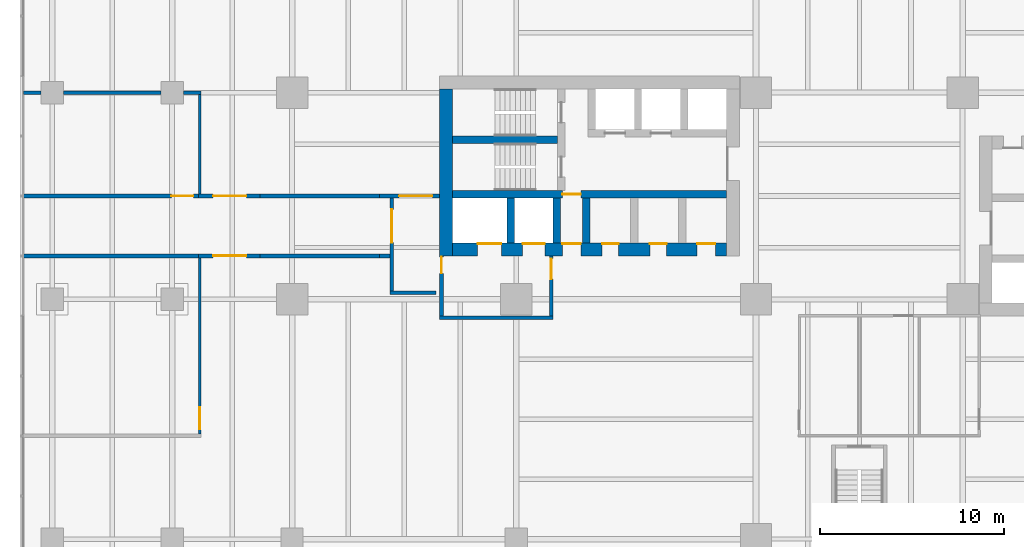
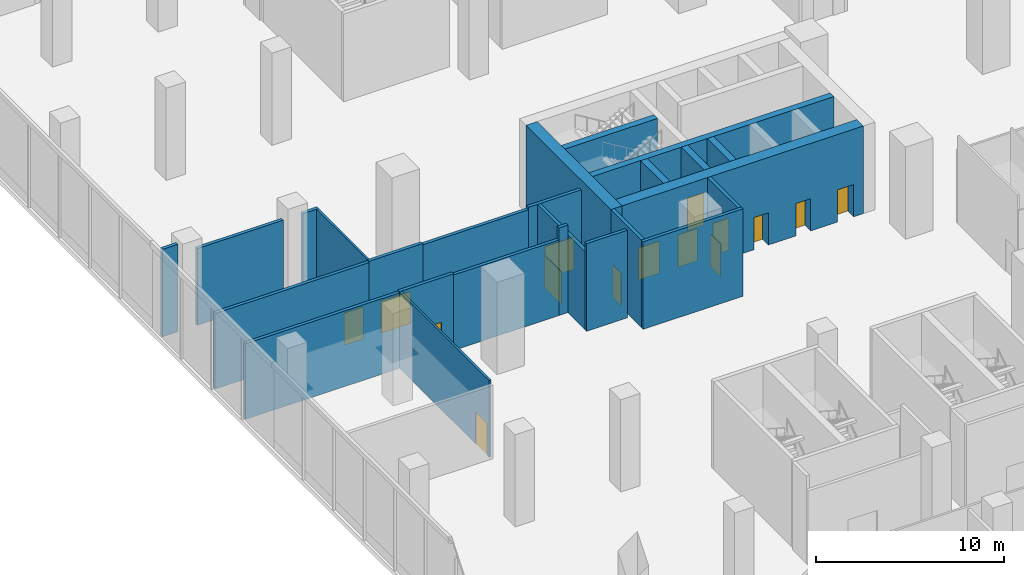
# One storey, part 34 of 41: 25 walls, 15 doors, 15 openings.
"""IFC4 building model written with IfcOpenShell, lengths in metres."""

from ifc_helpers import new_model, si_unit, direction, frame, frame_2d, origin, place, context, subcontext, project, spatial, rectangle, extrude, source, transform, mapped, material, layer, layer_set, type_object, element, fill, save


model = new_model("IFC4")

# Units and contexts
model_context = context("Model", 3, precision=1e-05, world=origin(), true_north=direction((0.0, 1.0)))
body_context = subcontext(model_context, "Body", "Model", "MODEL_VIEW")
ifc_project = project(units=[si_unit("LENGTHUNIT", "METRE"), si_unit("AREAUNIT", "SQUARE_METRE"), si_unit("VOLUMEUNIT", "CUBIC_METRE"), si_unit("PLANEANGLEUNIT", "RADIAN"), si_unit("MASSUNIT", "GRAM", prefix="KILO")], contexts=[model_context])

# Site, building, storey
site_placement = place(None, origin())
site = spatial("IfcSite", under=ifc_project, at=site_placement, CompositionType="ELEMENT")
building_placement = place(site_placement, origin())
building = spatial("IfcBuilding", under=site, at=building_placement, Name="Trellis Farm Tower", CompositionType="ELEMENT")
storey_placement = place(building_placement, frame((0.0, 0.0, 8.0)))
storey = spatial("IfcBuildingStorey", under=building, at=storey_placement, Name="L01", CompositionType="ELEMENT", Elevation=8.0)

# Walls
ifc_material_1 = material(Name="Concrete C80/95", Category="concrete")
ifc_layer_1 = layer(ifc_material_1, 0.699951171875)
ifc_layer_set_1 = layer_set([ifc_layer_1], Name="CORE OUTER WALL 700 CONCRETE C80/95")
wall_type_1 = type_object("IfcWallType", Name="CORE OUTER WALL 700 CONCRETE C80/95", PredefinedType="SHEAR", material=ifc_layer_set_1)
shared_shape_1 = source(origin(), body_context, "Body", "SweptSolid", [
    extrude(rectangle(XDim=9.050048828125, YDim=0.699951171875, at=frame_2d((4.52490234375, 0.0))), origin(), (0.0, 0.0, 1.0), 5.699951171875),
])
wall_1_placement = place(storey_placement, frame((-22.39990234375, 5.800048828125, 0.0), z_axis=(0.0, 0.0, 1.0), x_axis=(0.0, -1.0, 0.0)))
element("IfcWall", 1, at=wall_1_placement, inside=storey, type_object=wall_type_1, Name="Core wall", PredefinedType="SHEAR", context=body_context, shape_type="MappedRepresentation", body=[
    mapped(shared_shape_1, transform((0.0, 0.0, 0.0))),
])
ifc_layer_2 = layer(ifc_material_1, 0.39990234375)
ifc_layer_set_2 = layer_set([ifc_layer_2], Name="CORE INNER WALL 400 CONCRETE C80/95")
wall_type_2 = type_object("IfcWallType", Name="CORE INNER WALL 400 CONCRETE C80/95", PredefinedType="SHEAR", material=ifc_layer_set_2)
shared_shape_2 = source(origin(), body_context, "Body", "SweptSolid", [
    extrude(rectangle(XDim=2.449951171875, YDim=0.39990234375, at=frame_2d((1.22509765625, 0.0))), origin(), (0.0, 0.0, 1.0), 5.699951171875),
])
for number, where, z_axis, x_axis, name in (
    (2, (-14.800048828125, -0.10009765625, 0.0), (0.0, 0.0, 1.0), (0.0, -1.0, 0.0), "Core wall"),
    (3, (-16.39990234375, -0.10009765625, 0.0), (0.0, 0.0, 1.0), (0.0, -1.0, 0.0), "Core wall"),
    (4, (-18.89990234375, -0.10009765625, 0.0), (0.0, 0.0, 1.0), (0.0, -1.0, 0.0), "Core wall"),
):
    element("IfcWall", number, at=place(storey_placement, frame(where, z_axis=z_axis, x_axis=x_axis)), inside=storey, type_object=wall_type_2, Name=name, PredefinedType="SHEAR", context=body_context, shape_type="MappedRepresentation", body=[
        mapped(shared_shape_2, transform((0.0, 0.0, 0.0))),
    ])

# Wall, opening, door
ifc_material_2 = material(Name="Masonry blockwork", Category="masonry")
ifc_layer_3 = layer(ifc_material_2, 0.199951171875)
ifc_layer_set_3 = layer_set([ifc_layer_3], Name="FIRE LOBBY PARTITION 200 BLOCKWORK")
wall_type_3 = type_object("IfcWallType", Name="FIRE LOBBY PARTITION 200 BLOCKWORK", PredefinedType="PARTITIONING", material=ifc_layer_set_3)
shared_shape_3 = source(origin(), body_context, "Body", "SweptSolid", [
    extrude(rectangle(XDim=3.25, YDim=0.199951171875, at=frame_2d((1.625, 0.0))), origin(), (0.0, 0.0, 1.0), 5.699951171875),
])
wall_2_placement = place(storey_placement, frame((-16.699951171875, -3.25, 0.0), z_axis=(0.0, 0.0, 1.0), x_axis=(0.0, -1.0, 0.0)))
wall_2 = element("IfcWall", 5, at=wall_2_placement, inside=storey, type_object=wall_type_3, Name="Fire-fighting lobby partition", PredefinedType="PARTITIONING", context=body_context, shape_type="MappedRepresentation", body=[
    mapped(shared_shape_3, transform((0.0, 0.0, 0.0))),
])
shared_shape_4 = source(origin(), body_context, "Body", "SweptSolid", [
    extrude(rectangle(XDim=1.10009765625, YDim=2.10009765625, at=frame_2d((0.550048828125, 1.050048828125))), frame((0.0, 0.110107421875, 0.0), z_axis=(0.0, -1.0, 0.0), x_axis=(1.0, 0.0, 0.0)), (0.0, 0.0, 1.0), 0.22021484375),
])
opening_1_placement = place(wall_2_placement, frame((0.14990234375, 0.0, 0.0)))
opening_1 = element("IfcOpeningElement", 6, at=opening_1_placement, cuts=wall_2, Name="Opening DC93", PredefinedType="OPENING", context=body_context, shape_type="MappedRepresentation", body=[
    mapped(shared_shape_4, transform((0.0, 0.0, 0.0))),
])
ifc_material_3 = material(Name="Steel", Category="steel")
door_type_1 = type_object("IfcDoorType", Name="CORE FIRE DOOR 1100 X 2100", OperationType="NOTDEFINED", PredefinedType="DOOR", material=ifc_material_3)
shared_shape_5 = source(origin(), body_context, "Body", "SweptSolid", [
    extrude(rectangle(XDim=1.10009765625, YDim=2.10009765625, at=frame_2d((0.550048828125, 1.050048828125))), frame((0.0, 0.02490234375, 0.0), z_axis=(0.0, -1.0, 0.0), x_axis=(1.0, 0.0, 0.0)), (0.0, 0.0, 1.0), 0.050048828125),
])
door_1_placement = place(opening_1_placement, origin())
door_1 = element("IfcDoor", 7, at=door_1_placement, inside=storey, type_object=door_type_1, Name="Core door", OperationType="SINGLE_SWING_RIGHT", OverallHeight=2.10009765625, OverallWidth=1.10009765625, PredefinedType="DOOR", context=body_context, shape_type="MappedRepresentation", body=[
    mapped(shared_shape_5, transform((0.0, 0.0, 0.0))),
])
fill(opening_1, door_1)

wall_3_placement = place(storey_placement, frame((-22.64990234375, -3.25, 0.0), z_axis=(0.0, 0.0, 1.0), x_axis=(0.0, -1.0, 0.0)))
wall_3 = element("IfcWall", 8, at=wall_3_placement, inside=storey, type_object=wall_type_3, Name="Fire-fighting lobby partition", PredefinedType="PARTITIONING", context=body_context, shape_type="MappedRepresentation", body=[
    mapped(shared_shape_3, transform((0.0, 0.0, 0.0))),
])
shared_shape_6 = source(origin(), body_context, "Body", "SweptSolid", [
    extrude(rectangle(XDim=0.89990234375, YDim=2.10009765625, at=frame_2d((0.449951171875, 1.050048828125))), frame((0.0, 0.110107421875, 0.0), z_axis=(0.0, -1.0, 0.0), x_axis=(1.0, 0.0, 0.0)), (0.0, 0.0, 1.0), 0.22021484375),
])
opening_2_placement = place(wall_3_placement, frame((0.050048828125, 0.0, 0.0)))
opening_2 = element("IfcOpeningElement", 9, at=opening_2_placement, cuts=wall_3, Name="Opening DC94", PredefinedType="OPENING", context=body_context, shape_type="MappedRepresentation", body=[
    mapped(shared_shape_6, transform((0.0, 0.0, 0.0))),
])
door_type_2 = type_object("IfcDoorType", Name="CORE FIRE DOOR 900 X 2100", OperationType="NOTDEFINED", PredefinedType="DOOR", material=ifc_material_3)
shared_shape_7 = source(origin(), body_context, "Body", "SweptSolid", [
    extrude(rectangle(XDim=0.89990234375, YDim=2.10009765625, at=frame_2d((0.449951171875, 1.050048828125))), frame((0.0, 0.02490234375, 0.0), z_axis=(0.0, -1.0, 0.0), x_axis=(1.0, 0.0, 0.0)), (0.0, 0.0, 1.0), 0.050048828125),
])
door_2_placement = place(opening_2_placement, origin())
door_2 = element("IfcDoor", 10, at=door_2_placement, inside=storey, type_object=door_type_2, Name="Core door", OperationType="SINGLE_SWING_RIGHT", OverallHeight=2.10009765625, OverallWidth=0.89990234375, PredefinedType="DOOR", context=body_context, shape_type="MappedRepresentation", body=[
    mapped(shared_shape_7, transform((0.0, 0.0, 0.0))),
])
fill(opening_2, door_2)

# Wall, openings, doors
shared_shape_8 = source(origin(), body_context, "Body", "SweptSolid", [
    extrude(rectangle(XDim=14.85009765625, YDim=0.699951171875, at=frame_2d((7.425048828125, 0.0))), origin(), (0.0, 0.0, 1.0), 5.699951171875),
])
wall_4_placement = place(storey_placement, frame((-7.199951171875, -2.89990234375, 0.0), z_axis=(0.0, 0.0, 1.0), x_axis=(-1.0, 0.0, 0.0)))
wall_4 = element("IfcWall", 11, at=wall_4_placement, inside=storey, type_object=wall_type_1, Name="Core wall", PredefinedType="SHEAR", context=body_context, shape_type="MappedRepresentation", body=[
    mapped(shared_shape_8, transform((0.0, 0.0, 0.0))),
])
shared_shape_9 = source(origin(), body_context, "Body", "SweptSolid", [
    extrude(rectangle(XDim=1.300048828125, YDim=2.10009765625, at=frame_2d((0.64990234375, 1.050048828125))), frame((0.0, 0.360107421875, 0.0), z_axis=(0.0, -1.0, 0.0), x_axis=(1.0, 0.0, 0.0)), (0.0, 0.0, 1.0), 0.72021484375),
])
opening_3_placement = place(wall_4_placement, frame((12.199951171875, 0.0, 0.0)))
opening_3 = element("IfcOpeningElement", 12, at=opening_3_placement, cuts=wall_4, Name="Opening LD15", PredefinedType="OPENING", context=body_context, shape_type="MappedRepresentation", body=[
    mapped(shared_shape_9, transform((0.0, 0.0, 0.0))),
])
shared_shape_10 = source(origin(), body_context, "Body", "SweptSolid", [
    extrude(rectangle(XDim=1.199951171875, YDim=2.10009765625, at=frame_2d((0.60009765625, 1.050048828125))), frame((0.0, 0.360107421875, 0.0), z_axis=(0.0, -1.0, 0.0), x_axis=(1.0, 0.0, 0.0)), (0.0, 0.0, 1.0), 0.72021484375),
])
opening_4_placement = place(wall_4_placement, frame((9.85009765625, 0.0, 0.0)))
opening_4 = element("IfcOpeningElement", 13, at=opening_4_placement, cuts=wall_4, Name="Opening LD16", PredefinedType="OPENING", context=body_context, shape_type="MappedRepresentation", body=[
    mapped(shared_shape_10, transform((0.0, 0.0, 0.0))),
])
shared_shape_11 = source(origin(), body_context, "Body", "SweptSolid", [
    extrude(rectangle(XDim=1.0, YDim=2.10009765625, at=frame_2d((0.5, 1.050048828125))), frame((0.0, 0.360107421875, 0.0), z_axis=(0.0, -1.0, 0.0), x_axis=(1.0, 0.0, 0.0)), (0.0, 0.0, 1.0), 0.72021484375),
])
opening_5_placement = place(wall_4_placement, frame((7.89990234375, 0.0, 0.0)))
opening_5 = element("IfcOpeningElement", 14, at=opening_5_placement, cuts=wall_4, Name="Opening DC92", PredefinedType="OPENING", context=body_context, shape_type="MappedRepresentation", body=[
    mapped(shared_shape_11, transform((0.0, 0.0, 0.0))),
])
opening_6_placement = place(wall_4_placement, frame((0.60009765625, 0.0, 0.0)))
opening_6 = element("IfcOpeningElement", 15, at=opening_6_placement, cuts=wall_4, Name="Opening DC99", PredefinedType="OPENING", context=body_context, shape_type="MappedRepresentation", body=[
    mapped(shared_shape_11, transform((0.0, 0.0, 0.0))),
])
shared_shape_12 = source(origin(), body_context, "Body", "SweptSolid", [
    extrude(rectangle(XDim=0.89990234375, YDim=2.10009765625, at=frame_2d((0.449951171875, 1.050048828125))), frame((0.0, 0.360107421875, 0.0), z_axis=(0.0, -1.0, 0.0), x_axis=(1.0, 0.0, 0.0)), (0.0, 0.0, 1.0), 0.72021484375),
])
opening_7_placement = place(wall_4_placement, frame((3.25, 0.0, 0.0)))
opening_7 = element("IfcOpeningElement", 16, at=opening_7_placement, cuts=wall_4, Name="Opening DC110", PredefinedType="OPENING", context=body_context, shape_type="MappedRepresentation", body=[
    mapped(shared_shape_12, transform((0.0, 0.0, 0.0))),
])
opening_8_placement = place(wall_4_placement, frame((5.85009765625, 0.0, 0.0)))
opening_8 = element("IfcOpeningElement", 17, at=opening_8_placement, cuts=wall_4, Name="Opening DC121", PredefinedType="OPENING", context=body_context, shape_type="MappedRepresentation", body=[
    mapped(shared_shape_12, transform((0.0, 0.0, 0.0))),
])
door_type_3 = type_object("IfcDoorType", Name="CORE FIRE DOOR 1000 X 2100", OperationType="NOTDEFINED", PredefinedType="DOOR", material=ifc_material_3)
shared_shape_13 = source(origin(), body_context, "Body", "SweptSolid", [
    extrude(rectangle(XDim=1.0, YDim=2.10009765625, at=frame_2d((0.5, 1.050048828125))), frame((0.0, -0.27490234375, 0.0), z_axis=(0.0, -1.0, 0.0), x_axis=(1.0, 0.0, 0.0)), (0.0, 0.0, 1.0), 0.050048828125),
])
door_3_placement = place(opening_5_placement, origin())
door_3 = element("IfcDoor", 18, at=door_3_placement, inside=storey, type_object=door_type_3, Name="Core door", OperationType="SINGLE_SWING_LEFT", OverallHeight=2.10009765625, OverallWidth=1.0, PredefinedType="DOOR", context=body_context, shape_type="MappedRepresentation", body=[
    mapped(shared_shape_13, transform((0.0, 0.0, 0.0))),
])
fill(opening_5, door_3)
door_4_placement = place(opening_6_placement, origin())
door_4 = element("IfcDoor", 19, at=door_4_placement, inside=storey, type_object=door_type_3, Name="Core door", OperationType="SINGLE_SWING_LEFT", OverallHeight=2.10009765625, OverallWidth=1.0, PredefinedType="DOOR", context=body_context, shape_type="MappedRepresentation", body=[
    mapped(shared_shape_13, transform((0.0, 0.0, 0.0))),
])
fill(opening_6, door_4)
shared_shape_14 = source(origin(), body_context, "Body", "SweptSolid", [
    extrude(rectangle(XDim=0.89990234375, YDim=2.10009765625, at=frame_2d((0.449951171875, 1.050048828125))), frame((0.0, -0.27490234375, 0.0), z_axis=(0.0, -1.0, 0.0), x_axis=(1.0, 0.0, 0.0)), (0.0, 0.0, 1.0), 0.050048828125),
])
door_5_placement = place(opening_7_placement, origin())
door_5 = element("IfcDoor", 20, at=door_5_placement, inside=storey, type_object=door_type_2, Name="Core door", OperationType="SINGLE_SWING_RIGHT", OverallHeight=2.10009765625, OverallWidth=0.89990234375, PredefinedType="DOOR", context=body_context, shape_type="MappedRepresentation", body=[
    mapped(shared_shape_14, transform((0.0, 0.0, 0.0))),
])
fill(opening_7, door_5)
door_6_placement = place(opening_8_placement, origin())
door_6 = element("IfcDoor", 21, at=door_6_placement, inside=storey, type_object=door_type_2, Name="Core door", OperationType="SINGLE_SWING_LEFT", OverallHeight=2.10009765625, OverallWidth=0.89990234375, PredefinedType="DOOR", context=body_context, shape_type="MappedRepresentation", body=[
    mapped(shared_shape_14, transform((0.0, 0.0, 0.0))),
])
fill(opening_8, door_6)
ifc_material_4 = material(Name="Stainless steel", Category="steel")
door_type_4 = type_object("IfcDoorType", Name="LIFT LANDING DOOR 1300 X 2100", OperationType="DOUBLE_DOOR_SLIDING", PredefinedType="DOOR", material=ifc_material_4)
shared_shape_15 = source(origin(), body_context, "Body", "SweptSolid", [
    extrude(rectangle(XDim=1.300048828125, YDim=2.10009765625, at=frame_2d((0.64990234375, 1.050048828125))), frame((0.0, -0.27490234375, 0.0), z_axis=(0.0, -1.0, 0.0), x_axis=(1.0, 0.0, 0.0)), (0.0, 0.0, 1.0), 0.050048828125),
])
door_7_placement = place(opening_3_placement, origin())
door_7 = element("IfcDoor", 22, at=door_7_placement, inside=storey, type_object=door_type_4, Name="Lift landing door", OperationType="DOUBLE_DOOR_SLIDING", OverallHeight=2.10009765625, OverallWidth=1.300048828125, PredefinedType="DOOR", context=body_context, shape_type="MappedRepresentation", body=[
    mapped(shared_shape_15, transform((0.0, 0.0, 0.0))),
])
fill(opening_3, door_7)
door_type_5 = type_object("IfcDoorType", Name="LIFT LANDING DOOR 1200 X 2100", OperationType="DOUBLE_DOOR_SLIDING", PredefinedType="DOOR", material=ifc_material_4)
shared_shape_16 = source(origin(), body_context, "Body", "SweptSolid", [
    extrude(rectangle(XDim=1.199951171875, YDim=2.10009765625, at=frame_2d((0.60009765625, 1.050048828125))), frame((0.0, -0.27490234375, 0.0), z_axis=(0.0, -1.0, 0.0), x_axis=(1.0, 0.0, 0.0)), (0.0, 0.0, 1.0), 0.050048828125),
])
door_8_placement = place(opening_4_placement, origin())
door_8 = element("IfcDoor", 23, at=door_8_placement, inside=storey, type_object=door_type_5, Name="Lift landing door", OperationType="DOUBLE_DOOR_SLIDING", OverallHeight=2.10009765625, OverallWidth=1.199951171875, PredefinedType="DOOR", context=body_context, shape_type="MappedRepresentation", body=[
    mapped(shared_shape_16, transform((0.0, 0.0, 0.0))),
])
fill(opening_4, door_8)

# Wall, opening, door
shared_shape_17 = source(origin(), body_context, "Body", "SweptSolid", [
    extrude(rectangle(XDim=14.85009765625, YDim=0.39990234375, at=frame_2d((7.425048828125, 0.0))), origin(), (0.0, 0.0, 1.0), 5.699951171875),
])
wall_5_placement = place(storey_placement, frame((-7.199951171875, 0.10009765625, 0.0), z_axis=(0.0, 0.0, 1.0), x_axis=(-1.0, 0.0, 0.0)))
wall_5 = element("IfcWall", 24, at=wall_5_placement, inside=storey, type_object=wall_type_2, Name="Core wall", PredefinedType="SHEAR", context=body_context, shape_type="MappedRepresentation", body=[
    mapped(shared_shape_17, transform((0.0, 0.0, 0.0))),
])
shared_shape_18 = source(origin(), body_context, "Body", "SweptSolid", [
    extrude(rectangle(XDim=1.0, YDim=2.10009765625, at=frame_2d((0.5, 1.050048828125))), frame((0.0, 0.2099609375, 0.0), z_axis=(0.0, -1.0, 0.0), x_axis=(1.0, 0.0, 0.0)), (0.0, 0.0, 1.0), 0.419921875),
])
opening_9_placement = place(wall_5_placement, frame((7.89990234375, 0.0, 0.0)))
opening_9 = element("IfcOpeningElement", 25, at=opening_9_placement, cuts=wall_5, Name="Opening DC91", PredefinedType="OPENING", context=body_context, shape_type="MappedRepresentation", body=[
    mapped(shared_shape_18, transform((0.0, 0.0, 0.0))),
])
shared_shape_19 = source(origin(), body_context, "Body", "SweptSolid", [
    extrude(rectangle(XDim=1.0, YDim=2.10009765625, at=frame_2d((0.5, 1.050048828125))), frame((0.0, 0.02490234375, 0.0), z_axis=(0.0, -1.0, 0.0), x_axis=(1.0, 0.0, 0.0)), (0.0, 0.0, 1.0), 0.050048828125),
])
door_9_placement = place(opening_9_placement, origin())
door_9 = element("IfcDoor", 26, at=door_9_placement, inside=storey, type_object=door_type_3, Name="Core door", OperationType="SINGLE_SWING_RIGHT", OverallHeight=2.10009765625, OverallWidth=1.0, PredefinedType="DOOR", context=body_context, shape_type="MappedRepresentation", body=[
    mapped(shared_shape_19, transform((0.0, 0.0, 0.0))),
])
fill(opening_9, door_9)

# Walls
shared_shape_20 = source(origin(), body_context, "Body", "SweptSolid", [
    extrude(rectangle(XDim=5.699951171875, YDim=0.39990234375, at=frame_2d((2.85009765625, 0.0))), origin(), (0.0, 0.0, 1.0), 5.699951171875),
])
wall_6_placement = place(storey_placement, frame((-16.35009765625, 3.050048828125, 0.0), z_axis=(0.0, 0.0, 1.0), x_axis=(-1.0, 0.0, 0.0)))
element("IfcWall", 27, at=wall_6_placement, inside=storey, type_object=wall_type_2, Name="Core wall", PredefinedType="SHEAR", context=body_context, shape_type="MappedRepresentation", body=[
    mapped(shared_shape_20, transform((0.0, 0.0, 0.0))),
])
shared_shape_21 = source(origin(), body_context, "Body", "SweptSolid", [
    extrude(rectangle(XDim=6.14990234375, YDim=0.199951171875, at=frame_2d((3.074951171875, 0.0))), origin(), (0.0, 0.0, 1.0), 5.699951171875),
])
wall_7_placement = place(storey_placement, frame((-16.60009765625, -6.60009765625, 0.0), z_axis=(0.0, 0.0, 1.0), x_axis=(-1.0, 0.0, 0.0)))
element("IfcWall", 28, at=wall_7_placement, inside=storey, type_object=wall_type_3, Name="Fire-fighting lobby partition", PredefinedType="PARTITIONING", context=body_context, shape_type="MappedRepresentation", body=[
    mapped(shared_shape_21, transform((0.0, 0.0, 0.0))),
])

# Wall, opening, door
ifc_material_5 = material(Name="Lightweight blockwork, plastered", Category="masonry")
ifc_layer_4 = layer(ifc_material_5, 0.199951171875)
ifc_layer_set_4 = layer_set([ifc_layer_4], Name="BLOCK WALL 200 EI 120")
wall_type_4 = type_object("IfcWallType", Name="BLOCK WALL 200 EI 120", PredefinedType="PARTITIONING", material=ifc_layer_set_4)
shared_shape_22 = source(origin(), body_context, "Body", "SweptSolid", [
    extrude(rectangle(XDim=5.0498046875, YDim=0.199951171875, at=frame_2d((2.52490234375, 0.0))), origin(), (0.0, 0.0, 1.0), 5.077392578125),
])
wall_8_placement = place(storey_placement, frame((-25.35009765625, -5.14990234375, 0.0), z_axis=(0.0, 0.0, 1.0), x_axis=(0.0, 1.0, 0.0)))
wall_8 = element("IfcWall", 29, at=wall_8_placement, inside=storey, type_object=wall_type_4, Name="Partition PW3", PredefinedType="PARTITIONING", context=body_context, shape_type="MappedRepresentation", body=[
    mapped(shared_shape_22, transform((0.0, 0.0, 0.0))),
])
shared_shape_23 = source(origin(), body_context, "Body", "SweptSolid", [
    extrude(rectangle(XDim=1.800048828125, YDim=2.10009765625, at=frame_2d((0.89990234375, 1.050048828125))), frame((0.0, 0.110107421875, 0.0), z_axis=(0.0, -1.0, 0.0), x_axis=(1.0, 0.0, 0.0)), (0.0, 0.0, 1.0), 0.22021484375),
])
opening_10_placement = place(wall_8_placement, frame((2.625, 0.0, 0.0)))
opening_10 = element("IfcOpeningElement", 30, at=opening_10_placement, cuts=wall_8, Name="Opening D408", PredefinedType="OPENING", context=body_context, shape_type="MappedRepresentation", body=[
    mapped(shared_shape_23, transform((0.0, 0.0, 0.0))),
])
ifc_material_6 = material(Name="Fire-rated timber door leaf in a hollow metal frame", Category="wood")
door_type_6 = type_object("IfcDoorType", Name="DOOR PAIR 1800x2100 FD60", OperationType="NOTDEFINED", PredefinedType="DOOR", material=ifc_material_6)
shared_shape_24 = source(origin(), body_context, "Body", "SweptSolid", [
    extrude(rectangle(XDim=1.800048828125, YDim=2.10009765625, at=frame_2d((0.89990234375, 1.050048828125))), frame((0.0, 0.02490234375, 0.0), z_axis=(0.0, -1.0, 0.0), x_axis=(1.0, 0.0, 0.0)), (0.0, 0.0, 1.0), 0.050048828125),
])
door_10_placement = place(opening_10_placement, origin())
door_10 = element("IfcDoor", 31, at=door_10_placement, inside=storey, type_object=door_type_6, Name="Door D408", OperationType="DOUBLE_DOOR_SINGLE_SWING", OverallHeight=2.10009765625, OverallWidth=1.800048828125, PredefinedType="DOOR", context=body_context, shape_type="MappedRepresentation", body=[
    mapped(shared_shape_24, transform((0.0, 0.0, 0.0))),
])
fill(opening_10, door_10)

# Wall
ifc_material_7 = material(Name="Plasterboard on steel studs, mineral wool", Category="steel")
ifc_layer_5 = layer(ifc_material_7, 0.125)
ifc_layer_set_5 = layer_set([ifc_layer_5], Name="PARTITION 125 STUD EI 60")
wall_type_5 = type_object("IfcWallType", Name="PARTITION 125 STUD EI 60", PredefinedType="PARTITIONING", material=ifc_layer_set_5)
shared_shape_25 = source(origin(), body_context, "Body", "SweptSolid", [
    extrude(rectangle(XDim=5.39990234375, YDim=0.125, at=frame_2d((2.699951171875, 0.0))), origin(), (0.0, 0.0, 1.0), 4.99658203125),
])
wall_9_placement = place(storey_placement, frame((-35.75, 0.10009765625, 0.0), z_axis=(0.0, 0.0, 1.0), x_axis=(0.0, 1.0, 0.0)))
element("IfcWall", 32, at=wall_9_placement, inside=storey, type_object=wall_type_5, Name="Partition PW1", PredefinedType="PARTITIONING", context=body_context, shape_type="MappedRepresentation", body=[
    mapped(shared_shape_25, transform((0.0, 0.0, 0.0))),
])

# Wall, opening, door
shared_shape_26 = source(origin(), body_context, "Body", "SweptSolid", [
    extrude(rectangle(XDim=9.5498046875, YDim=0.125, at=frame_2d((4.77490234375, 0.0))), origin(), (0.0, 0.0, 1.0), 4.99658203125),
])
wall_10_placement = place(storey_placement, frame((-35.75, -12.89990234375, 0.0), z_axis=(0.0, 0.0, 1.0), x_axis=(0.0, 1.0, 0.0)))
wall_10 = element("IfcWall", 33, at=wall_10_placement, inside=storey, type_object=wall_type_5, Name="Partition PW1", PredefinedType="PARTITIONING", context=body_context, shape_type="MappedRepresentation", body=[
    mapped(shared_shape_26, transform((0.0, 0.0, 0.0))),
])
shared_shape_27 = source(origin(), body_context, "Body", "SweptSolid", [
    extrude(rectangle(XDim=1.199951171875, YDim=2.10009765625, at=frame_2d((0.60009765625, 1.050048828125))), frame((0.0, 0.072509765625, 0.0), z_axis=(0.0, -1.0, 0.0), x_axis=(1.0, 0.0, 0.0)), (0.0, 0.0, 1.0), 0.14501953125),
])
opening_11_placement = place(wall_10_placement, frame((0.25, 0.0, 0.0)))
opening_11 = element("IfcOpeningElement", 34, at=opening_11_placement, cuts=wall_10, Name="Opening D605", PredefinedType="OPENING", context=body_context, shape_type="MappedRepresentation", body=[
    mapped(shared_shape_27, transform((0.0, 0.0, 0.0))),
])
door_type_7 = type_object("IfcDoorType", Name="DOOR 1200x2100 FD30S", OperationType="NOTDEFINED", PredefinedType="DOOR", material=ifc_material_6)
shared_shape_28 = source(origin(), body_context, "Body", "SweptSolid", [
    extrude(rectangle(XDim=1.199951171875, YDim=2.10009765625, at=frame_2d((0.60009765625, 1.050048828125))), frame((0.0, 0.02490234375, 0.0), z_axis=(0.0, -1.0, 0.0), x_axis=(1.0, 0.0, 0.0)), (0.0, 0.0, 1.0), 0.050048828125),
])
door_11_placement = place(opening_11_placement, origin())
door_11 = element("IfcDoor", 35, at=door_11_placement, inside=storey, type_object=door_type_7, Name="Door D605", OperationType="SINGLE_SWING_LEFT", OverallHeight=2.10009765625, OverallWidth=1.199951171875, PredefinedType="DOOR", context=body_context, shape_type="MappedRepresentation", body=[
    mapped(shared_shape_28, transform((0.0, 0.0, 0.0))),
])
fill(opening_11, door_11)

shared_shape_29 = source(origin(), body_context, "Body", "SweptSolid", [
    extrude(rectangle(XDim=3.3125, YDim=0.199951171875, at=frame_2d((1.65625, 0.0))), origin(), (0.0, 0.0, 1.0), 4.99658203125),
])
wall_11_placement = place(storey_placement, frame((-32.5, -3.25, 0.0), z_axis=(0.0, 0.0, 1.0), x_axis=(-1.0, 0.0, 0.0)))
wall_11 = element("IfcWall", 36, at=wall_11_placement, inside=storey, type_object=wall_type_4, Name="Partition PW3", PredefinedType="PARTITIONING", context=body_context, shape_type="MappedRepresentation", body=[
    mapped(shared_shape_29, transform((0.0, 0.0, 0.0))),
])
opening_12_placement = place(wall_11_placement, frame((0.72509765625, 0.0, 0.0)))
opening_12 = element("IfcOpeningElement", 37, at=opening_12_placement, cuts=wall_11, Name="Opening D407", PredefinedType="OPENING", context=body_context, shape_type="MappedRepresentation", body=[
    mapped(shared_shape_23, transform((0.0, 0.0, 0.0))),
])
door_12_placement = place(opening_12_placement, origin())
door_12 = element("IfcDoor", 38, at=door_12_placement, inside=storey, type_object=door_type_6, Name="Door D407", OperationType="DOUBLE_DOOR_SINGLE_SWING", OverallHeight=2.10009765625, OverallWidth=1.800048828125, PredefinedType="DOOR", context=body_context, shape_type="MappedRepresentation", body=[
    mapped(shared_shape_24, transform((0.0, 0.0, 0.0))),
])
fill(opening_12, door_12)

wall_12_placement = place(storey_placement, frame((-35.8125, 0.0, 0.0), z_axis=(0.0, 0.0, 1.0), x_axis=(1.0, 0.0, 0.0)))
wall_12 = element("IfcWall", 39, at=wall_12_placement, inside=storey, type_object=wall_type_4, Name="Partition PW3", PredefinedType="PARTITIONING", context=body_context, shape_type="MappedRepresentation", body=[
    mapped(shared_shape_29, transform((0.0, 0.0, 0.0))),
])
opening_13_placement = place(wall_12_placement, frame((0.78759765625, 0.0, 0.0)))
opening_13 = element("IfcOpeningElement", 40, at=opening_13_placement, cuts=wall_12, Name="Opening D409", PredefinedType="OPENING", context=body_context, shape_type="MappedRepresentation", body=[
    mapped(shared_shape_23, transform((0.0, 0.0, 0.0))),
])
door_13_placement = place(opening_13_placement, origin())
door_13 = element("IfcDoor", 41, at=door_13_placement, inside=storey, type_object=door_type_6, Name="Door D409", OperationType="DOUBLE_DOOR_SINGLE_SWING", OverallHeight=2.10009765625, OverallWidth=1.800048828125, PredefinedType="DOOR", context=body_context, shape_type="MappedRepresentation", body=[
    mapped(shared_shape_24, transform((0.0, 0.0, 0.0))),
])
fill(opening_13, door_13)

shared_shape_30 = source(origin(), body_context, "Body", "SweptSolid", [
    extrude(rectangle(XDim=3.25, YDim=0.199951171875, at=frame_2d((1.625, 0.0))), origin(), (0.0, 0.0, 1.0), 5.077392578125),
])
wall_13_placement = place(storey_placement, frame((-26.0, 0.0, 0.0), z_axis=(0.0, 0.0, 1.0), x_axis=(1.0, 0.0, 0.0)))
wall_13 = element("IfcWall", 42, at=wall_13_placement, inside=storey, type_object=wall_type_4, Name="Partition PW3", PredefinedType="PARTITIONING", context=body_context, shape_type="MappedRepresentation", body=[
    mapped(shared_shape_30, transform((0.0, 0.0, 0.0))),
])
opening_14_placement = place(wall_13_placement, frame((1.050048828125, 0.0, 0.0)))
opening_14 = element("IfcOpeningElement", 43, at=opening_14_placement, cuts=wall_13, Name="Opening D410", PredefinedType="OPENING", context=body_context, shape_type="MappedRepresentation", body=[
    mapped(shared_shape_23, transform((0.0, 0.0, 0.0))),
])
door_14_placement = place(opening_14_placement, origin())
door_14 = element("IfcDoor", 44, at=door_14_placement, inside=storey, type_object=door_type_6, Name="Door D410", OperationType="DOUBLE_DOOR_SINGLE_SWING", OverallHeight=2.10009765625, OverallWidth=1.800048828125, PredefinedType="DOOR", context=body_context, shape_type="MappedRepresentation", body=[
    mapped(shared_shape_24, transform((0.0, 0.0, 0.0))),
])
fill(opening_14, door_14)

# Walls
shared_shape_31 = source(origin(), body_context, "Body", "SweptSolid", [
    extrude(rectangle(XDim=6.5, YDim=0.199951171875, at=frame_2d((3.25, 0.0))), origin(), (0.0, 0.0, 1.0), 4.917724609375),
])
for number, where, z_axis, x_axis, name in (
    (45, (-26.0, -3.25, 0.0), (0.0, 0.0, 1.0), (-1.0, 0.0, 0.0), "Partition PW3"),
    (46, (-32.5, 0.0, 0.0), (0.0, 0.0, 1.0), (1.0, 0.0, 0.0), "Partition PW3"),
):
    element("IfcWall", number, at=place(storey_placement, frame(where, z_axis=z_axis, x_axis=x_axis)), inside=storey, type_object=wall_type_4, Name=name, PredefinedType="PARTITIONING", context=body_context, shape_type="MappedRepresentation", body=[
        mapped(shared_shape_31, transform((0.0, 0.0, 0.0))),
    ])
shared_shape_32 = source(origin(), body_context, "Body", "SweptSolid", [
    extrude(rectangle(XDim=9.612548828125, YDim=0.199951171875, at=frame_2d((4.80615234375, 0.0))), origin(), (0.0, 0.0, 1.0), 4.917724609375),
])
wall_14_placement = place(storey_placement, frame((-35.6875, -3.25, 0.0), z_axis=(0.0, 0.0, 1.0), x_axis=(-1.0, 0.0, 0.0)))
element("IfcWall", 47, at=wall_14_placement, inside=storey, type_object=wall_type_4, Name="Partition PW3", PredefinedType="PARTITIONING", context=body_context, shape_type="MappedRepresentation", body=[
    mapped(shared_shape_32, transform((0.0, 0.0, 0.0))),
])

# Wall, opening, door
wall_15_placement = place(storey_placement, frame((-45.300048828125, 0.0, 0.0), z_axis=(0.0, 0.0, 1.0), x_axis=(1.0, 0.0, 0.0)))
wall_15 = element("IfcWall", 48, at=wall_15_placement, inside=storey, type_object=wall_type_4, Name="Partition PW3", PredefinedType="PARTITIONING", context=body_context, shape_type="MappedRepresentation", body=[
    mapped(shared_shape_32, transform((0.0, 0.0, 0.0))),
])
shared_shape_33 = source(origin(), body_context, "Body", "SweptSolid", [
    extrude(rectangle(XDim=1.199951171875, YDim=2.10009765625, at=frame_2d((0.60009765625, 1.050048828125))), frame((0.0, 0.110107421875, 0.0), z_axis=(0.0, -1.0, 0.0), x_axis=(1.0, 0.0, 0.0)), (0.0, 0.0, 1.0), 0.22021484375),
])
opening_15_placement = place(wall_15_placement, frame((8.0, 0.0, 0.0)))
opening_15 = element("IfcOpeningElement", 49, at=opening_15_placement, cuts=wall_15, Name="Opening D606", PredefinedType="OPENING", context=body_context, shape_type="MappedRepresentation", body=[
    mapped(shared_shape_33, transform((0.0, 0.0, 0.0))),
])
door_15_placement = place(opening_15_placement, origin())
door_15 = element("IfcDoor", 50, at=door_15_placement, inside=storey, type_object=door_type_7, Name="Door D606", OperationType="SINGLE_SWING_RIGHT", OverallHeight=2.10009765625, OverallWidth=1.199951171875, PredefinedType="DOOR", context=body_context, shape_type="MappedRepresentation", body=[
    mapped(shared_shape_28, transform((0.0, 0.0, 0.0))),
])
fill(opening_15, door_15)

# Walls
shared_shape_34 = source(origin(), body_context, "Body", "SweptSolid", [
    extrude(rectangle(XDim=0.550048828125, YDim=0.199951171875, at=frame_2d((0.27490234375, 0.0))), origin(), (0.0, 0.0, 1.0), 5.699951171875),
])
wall_16_placement = place(storey_placement, frame((-26.0, -3.25, 0.0), z_axis=(0.0, 0.0, 1.0), x_axis=(1.0, 0.0, 0.0)))
element("IfcWall", 51, at=wall_16_placement, inside=storey, type_object=wall_type_4, Name="Partition PW3", PredefinedType="PARTITIONING", context=body_context, shape_type="MappedRepresentation", body=[
    mapped(shared_shape_34, transform((0.0, 0.0, 0.0))),
])
shared_shape_35 = source(origin(), body_context, "Body", "SweptSolid", [
    extrude(rectangle(XDim=2.5, YDim=0.199951171875, at=frame_2d((1.25, 0.0))), origin(), (0.0, 0.0, 1.0), 5.699951171875),
])
wall_17_placement = place(storey_placement, frame((-25.449951171875, -5.25, 0.0), z_axis=(0.0, 0.0, 1.0), x_axis=(1.0, 0.0, 0.0)))
element("IfcWall", 52, at=wall_17_placement, inside=storey, type_object=wall_type_4, Name="Partition PW3", PredefinedType="PARTITIONING", context=body_context, shape_type="MappedRepresentation", body=[
    mapped(shared_shape_35, transform((0.0, 0.0, 0.0))),
])
shared_shape_36 = source(origin(), body_context, "Body", "SweptSolid", [
    extrude(rectangle(XDim=0.949951171875, YDim=0.199951171875, at=frame_2d((0.47509765625, 0.0))), origin(), (0.0, 0.0, 1.0), 5.699951171875),
])
wall_18_placement = place(storey_placement, frame((-45.300048828125, 5.60009765625, 0.0), z_axis=(0.0, 0.0, 1.0), x_axis=(1.0, 0.0, 0.0)))
element("IfcWall", 53, at=wall_18_placement, inside=storey, type_object=wall_type_4, Name="Partition PW3", PredefinedType="PARTITIONING", context=body_context, shape_type="MappedRepresentation", body=[
    mapped(shared_shape_36, transform((0.0, 0.0, 0.0))),
])
shared_shape_37 = source(origin(), body_context, "Body", "SweptSolid", [
    extrude(rectangle(XDim=5.2998046875, YDim=0.199951171875, at=frame_2d((2.64990234375, 0.0))), origin(), (0.0, 0.0, 1.0), 4.99658203125),
])
wall_19_placement = place(storey_placement, frame((-43.14990234375, 5.60009765625, 0.0), z_axis=(0.0, 0.0, 1.0), x_axis=(1.0, 0.0, 0.0)))
element("IfcWall", 54, at=wall_19_placement, inside=storey, type_object=wall_type_4, Name="Partition PW3", PredefinedType="PARTITIONING", context=body_context, shape_type="MappedRepresentation", body=[
    mapped(shared_shape_37, transform((0.0, 0.0, 0.0))),
])
shared_shape_38 = source(origin(), body_context, "Body", "SweptSolid", [
    extrude(rectangle(XDim=0.96240234375, YDim=0.199951171875, at=frame_2d((0.481201171875, 0.0))), origin(), (0.0, 0.0, 1.0), 4.99658203125),
])
wall_20_placement = place(storey_placement, frame((-36.64990234375, 5.60009765625, 0.0), z_axis=(0.0, 0.0, 1.0), x_axis=(1.0, 0.0, 0.0)))
element("IfcWall", 55, at=wall_20_placement, inside=storey, type_object=wall_type_4, Name="Partition PW3", PredefinedType="PARTITIONING", context=body_context, shape_type="MappedRepresentation", body=[
    mapped(shared_shape_38, transform((0.0, 0.0, 0.0))),
])

save(model, "model.ifc")
